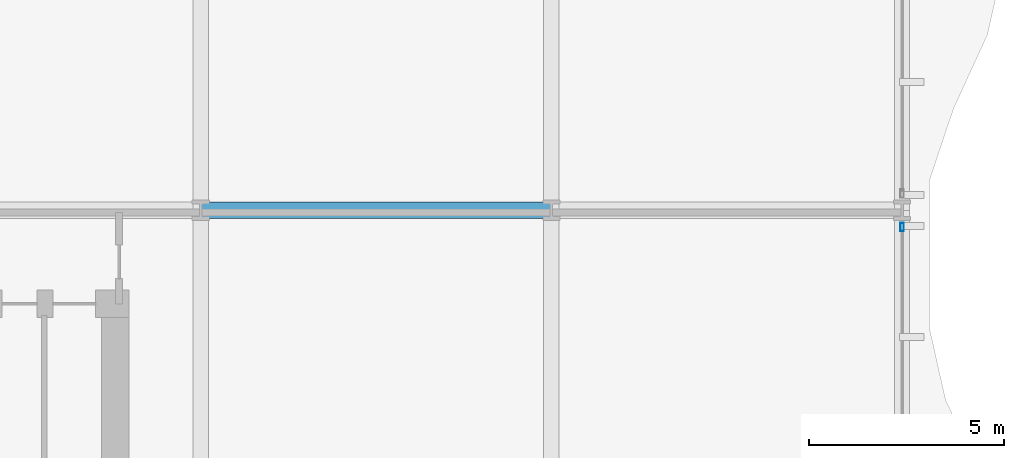
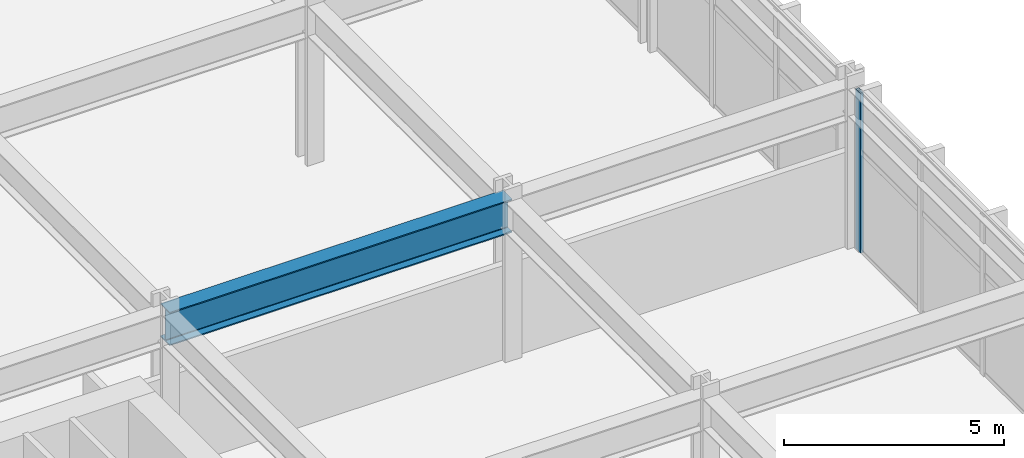
# One storey, part 12 of 31: 1 beam, 1 member, 1 element without a shape of its own.
"""IFC4 building model written with IfcOpenShell, lengths in metres."""

from ifc_helpers import new_model, si_unit, direction, frame, origin, origin_2d, place, context, subcontext, project, spatial, hollow_rectangle, i_section, extrude, material, layer, layer_set, material_profile, profile_set, type_object, element, aggregate, save


model = new_model("IFC4")

# Units and contexts
model_context = context("Model", 3, precision=1e-05, world=origin(), true_north=direction((0.0, 1.0)))
body_context = subcontext(model_context, "Body", "Model", "MODEL_VIEW")
ifc_project = project(units=[si_unit("LENGTHUNIT", "METRE"), si_unit("AREAUNIT", "SQUARE_METRE"), si_unit("VOLUMEUNIT", "CUBIC_METRE"), si_unit("PLANEANGLEUNIT", "RADIAN"), si_unit("MASSUNIT", "GRAM", prefix="KILO")], contexts=[model_context])

# Site, building, storey
site_placement = place(None, origin())
site = spatial("IfcSite", under=ifc_project, at=site_placement, CompositionType="ELEMENT")
building_placement = place(site_placement, origin())
building = spatial("IfcBuilding", under=site, at=building_placement, Name="Solvaryn Broadcast Tower", CompositionType="ELEMENT")
storey_placement = place(building_placement, frame((0.0, 0.0, 26.0)))
storey = spatial("IfcBuildingStorey", under=building, at=storey_placement, Name="L05", CompositionType="ELEMENT", Elevation=26.0)

# Beam
ifc_material_1 = material(Name="Steel ASTM A992 Grade 50", Category="steel")
ifc_material_profile_1 = material_profile(ifc_material_1, i_section(OverallWidth=0.41796875, OverallDepth=0.927001953125, WebThickness=0.019287109375, FlangeThickness=0.031982421875, FilletRadius=0.02392578125, at=origin_2d()))
ifc_profile_set_1 = profile_set([ifc_material_profile_1], Name="Steel ASTM A992 Grade 50")
beam_type = type_object("IfcBeamType", Name="BM-G2-W36X231", PredefinedType="BEAM", material=ifc_profile_set_1)
beam_placement = place(storey_placement, frame((45.0, 27.0, 3.9765625), z_axis=(1.0, 0.0, 0.0), x_axis=(0.0, 1.0, 0.0)))
element("IfcBeam", 1, at=beam_placement, inside=storey, type_object=beam_type, Name="L05 Primary Beam X (45-54 @ Y=27)", PredefinedType="BEAM", context=body_context, shape_type="SweptSolid", body=[
    extrude(i_section(OverallWidth=0.41796875, OverallDepth=0.927001953125, WebThickness=0.019287109375, FlangeThickness=0.031982421875, FilletRadius=0.02392578125, at=origin_2d()), origin(), (0.0, 0.0, 1.0), 9.0),
])

# Curtain wall, member
ifc_material_2 = material(Name="Aluminium and Terracotta Unitised Curtain Wall", Category="masonry")
ifc_layer = layer(ifc_material_2, 0.219970703125)
ifc_layer_set = layer_set([ifc_layer], Name="CW-SYS1-PODIUM")
curtain_wall_type = type_object("IfcCurtainWallType", Name="CW-SYS1-PODIUM", PredefinedType="NOTDEFINED", material=ifc_layer_set)
curtain_wall_placement = place(storey_placement, origin())
curtain_wall = element("IfcCurtainWall", 2, at=curtain_wall_placement, inside=storey, type_object=curtain_wall_type, Name="L05 Podium Curtain Wall E2", PredefinedType="NOTDEFINED")
ifc_material_3 = material(Name="Anodised Aluminium 6063-T6", Category="aluminium")
ifc_material_profile_2 = material_profile(ifc_material_3, hollow_rectangle(XDim=0.0849609375, YDim=0.219970703125, WallThickness=0.0048828125, InnerFilletRadius=0.0048828125, OuterFilletRadius=0.010009765625, at=origin_2d()))
ifc_profile_set_2 = profile_set([ifc_material_profile_2], Name="Anodised Aluminium 6063-T6")
member_type = type_object("IfcMemberType", Name="CW-MUL-220", PredefinedType="MULLION", material=ifc_profile_set_2)
member_placement = place(storey_placement, frame((63.0, 26.570068359375, 0.0), z_axis=(0.0, 0.0, 1.0), x_axis=(1.0, 0.0, 0.0)))
member = element("IfcMember", 3, at=member_placement, type_object=member_type, Name="CWS1 mullion 1", PredefinedType="MULLION", context=body_context, shape_type="SweptSolid", body=[
    extrude(hollow_rectangle(XDim=0.0849609375, YDim=0.219970703125, WallThickness=0.0048828125, InnerFilletRadius=0.0048828125, OuterFilletRadius=0.010009765625, at=origin_2d()), origin(), (0.0, 0.0, 1.0), 4.43994140625),
])
aggregate(curtain_wall, [member])

save(model, "model.ifc")
